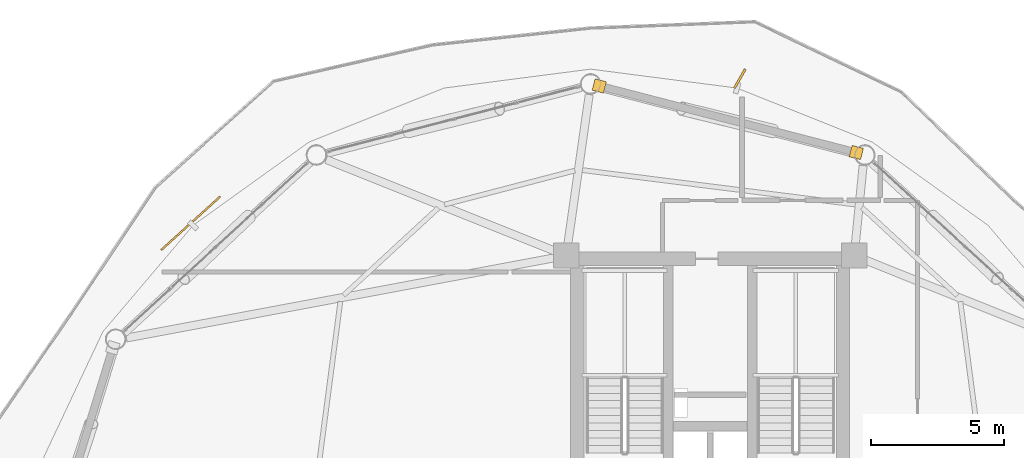
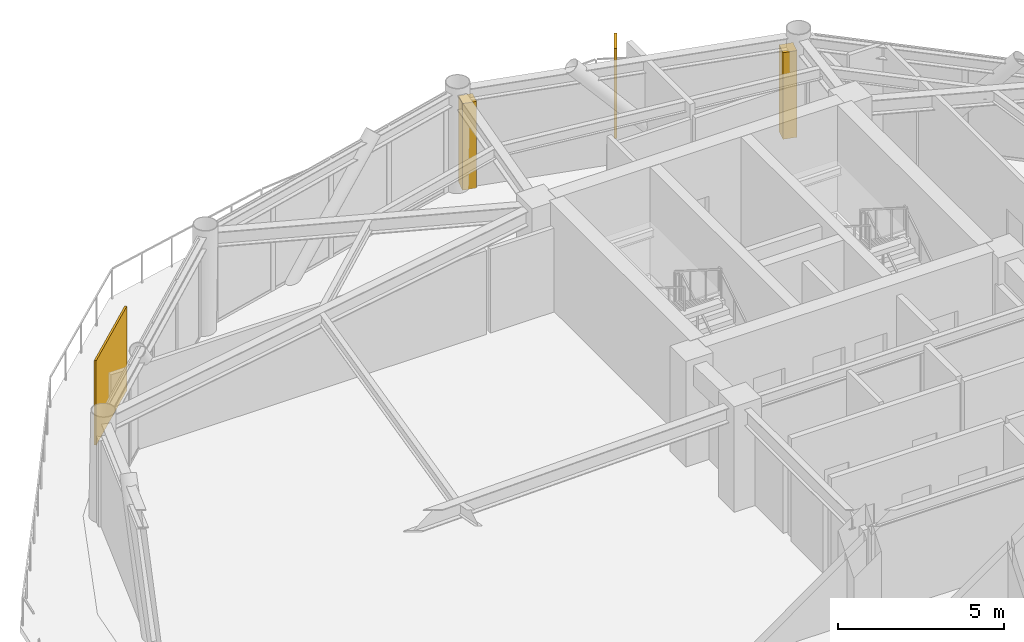
# One storey, part 23 of 23: 2 coverings, 2 shading devices.
"""IFC4 building model written with IfcOpenShell, lengths in metres."""

from ifc_helpers import new_model, si_unit, direction, frame, origin, origin_2d, place, context, subcontext, project, spatial, rectangle, extrude, source, transform, mapped, material, layer, layer_set, type_object, type_shapes, element, save


model = new_model("IFC4")

# Units and contexts
model_context = context("Model", 3, precision=1e-05, world=origin(), true_north=direction((0.0, 1.0)))
body_context = subcontext(model_context, "Body", "Model", "MODEL_VIEW")
ifc_project = project(units=[si_unit("LENGTHUNIT", "METRE"), si_unit("AREAUNIT", "SQUARE_METRE"), si_unit("VOLUMEUNIT", "CUBIC_METRE"), si_unit("PLANEANGLEUNIT", "RADIAN"), si_unit("MASSUNIT", "GRAM", prefix="KILO")], contexts=[model_context])

# Site, building, storey
site_placement = place(None, origin())
site = spatial("IfcSite", under=ifc_project, at=site_placement, CompositionType="ELEMENT")
building_placement = place(site_placement, origin())
building = spatial("IfcBuilding", under=site, at=building_placement, Name="Varnakorn Sky Granary", CompositionType="ELEMENT")
storey_placement = place(building_placement, frame((0.0, 0.0, 150.0)))
storey = spatial("IfcBuildingStorey", under=building, at=storey_placement, Name="L37", CompositionType="ELEMENT", Elevation=150.0)

# Shading devices
ifc_material = material(Name="Anodised Bronze Aluminium Alloy 6063-T6", Category="aluminium")
shading_device_type_1 = type_object("IfcShadingDeviceType", Name="SH-SCR-02", PredefinedType="USERDEFINED", material=ifc_material)
shared_shape_1 = source(origin(), body_context, "Body", "SweptSolid", [
    extrude(rectangle(XDim=3.0, YDim=0.06494140625, at=origin_2d()), origin(), (0.0, 0.0, 1.0), 3.10009765625),
])
type_shapes(shading_device_type_1, [shared_shape_1])
shading_device_1_placement = place(storey_placement, frame((-16.54931640625, 13.83642578125, -0.0400390625), z_axis=(0.0, 0.0, 1.0), x_axis=(-0.741340210446, -0.67112941552, 0.0)))
element("IfcShadingDevice", 1, at=shading_device_1_placement, inside=storey, type_object=shading_device_type_1, Name="Perforated Bronze Solar Screen Panel SCREEN L37-05", ObjectType="SCREEN", PredefinedType="USERDEFINED", context=body_context, shape_type="MappedRepresentation", body=[
    mapped(shared_shape_1, transform((0.0, 0.0, 0.0), x_axis=(1.0, 0.0, 0.0), y_axis=(0.0, 1.0, 0.0), z_axis=(0.0, 0.0, 1.0), scale=1.0)),
])
shading_device_type_2 = type_object("IfcShadingDeviceType", Name="SH-FIN-02", PredefinedType="USERDEFINED", material=ifc_material)
shared_shape_2 = source(origin(), body_context, "Body", "SweptSolid", [
    extrude(rectangle(XDim=0.0849609375, YDim=0.820068359375, at=origin_2d()), origin(), (0.0, 0.0, 1.0), 3.300048828125),
])
type_shapes(shading_device_type_2, [shared_shape_2])
shading_device_2_placement = place(storey_placement, frame((4.11572265625, 19.27978515625, -0.0400390625), z_axis=(0.0, 0.0, 1.0), x_axis=(-0.868312636282, 0.496017303805, 0.0)))
element("IfcShadingDevice", 2, at=shading_device_2_placement, inside=storey, type_object=shading_device_type_2, Name="Bronze Solar-Tracking Vertical Blade FIN L37-03", ObjectType="FIN", PredefinedType="USERDEFINED", context=body_context, shape_type="MappedRepresentation", body=[
    mapped(shared_shape_2, transform((0.0, 0.0, 0.0), x_axis=(1.0, 0.0, 0.0), y_axis=(0.0, 1.0, 0.0), z_axis=(0.0, 0.0, 1.0), scale=1.0)),
])

# Coverings
ifc_layer = layer(ifc_material, 0.050048828125, Name="Anodised Bronze Aluminium Alloy 6063-T6")
ifc_layer_set = layer_set([ifc_layer], Name="Anodised Bronze Aluminium Alloy 6063-T6")
covering_type = type_object("IfcCoveringType", Name="CV-CLAD-50", PredefinedType="CLADDING", material=ifc_layer_set)
shared_shape_3 = source(origin(), body_context, "Body", "SweptSolid", [
    extrude(rectangle(XDim=0.43994140625, YDim=0.43994140625, at=origin_2d()), origin(), (0.0, 0.0, 1.0), 3.179931640625),
])
type_shapes(covering_type, [shared_shape_3])
for number, where, z_axis, x_axis, name in (
    (3, (-1.1748046875, 19.003662109375, -0.02001953125), (0.0, 0.0, 1.0), (0.968060182288, -0.250717936073, 0.0), "Bronze Corner Pilaster Closure L37-P03-A"),
    (4, (8.498779296875, 16.498046875, -0.02001953125), (0.0, 0.0, 1.0), (0.968060182288, -0.250717936073, 0.0), "Bronze Corner Pilaster Closure L37-P03-B"),
):
    element("IfcCovering", number, at=place(storey_placement, frame(where, z_axis=z_axis, x_axis=x_axis)), inside=storey, type_object=covering_type, Name=name, PredefinedType="CLADDING", context=body_context, shape_type="MappedRepresentation", body=[
        mapped(shared_shape_3, transform((0.0, 0.0, 0.0), x_axis=(1.0, 0.0, 0.0), y_axis=(0.0, 1.0, 0.0), z_axis=(0.0, 0.0, 1.0), scale=1.0)),
    ])

save(model, "model.ifc")
